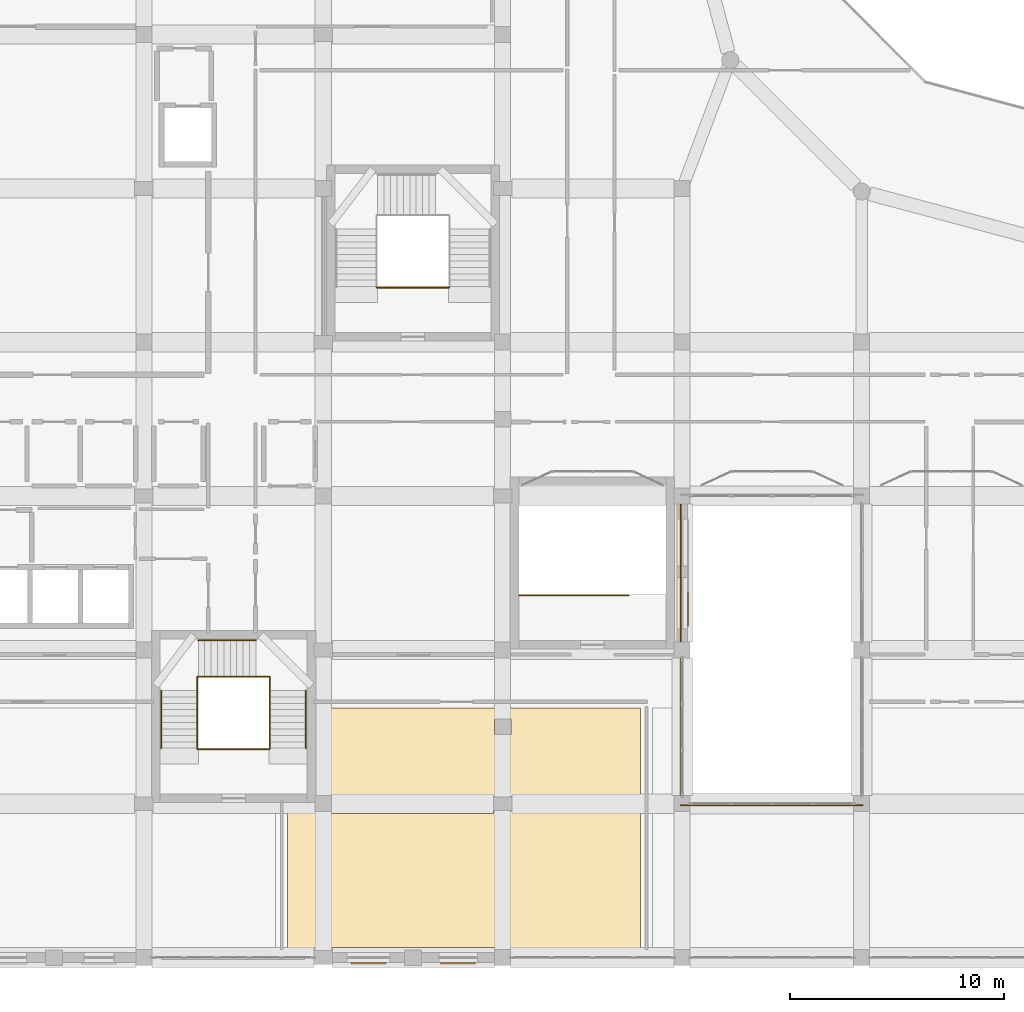
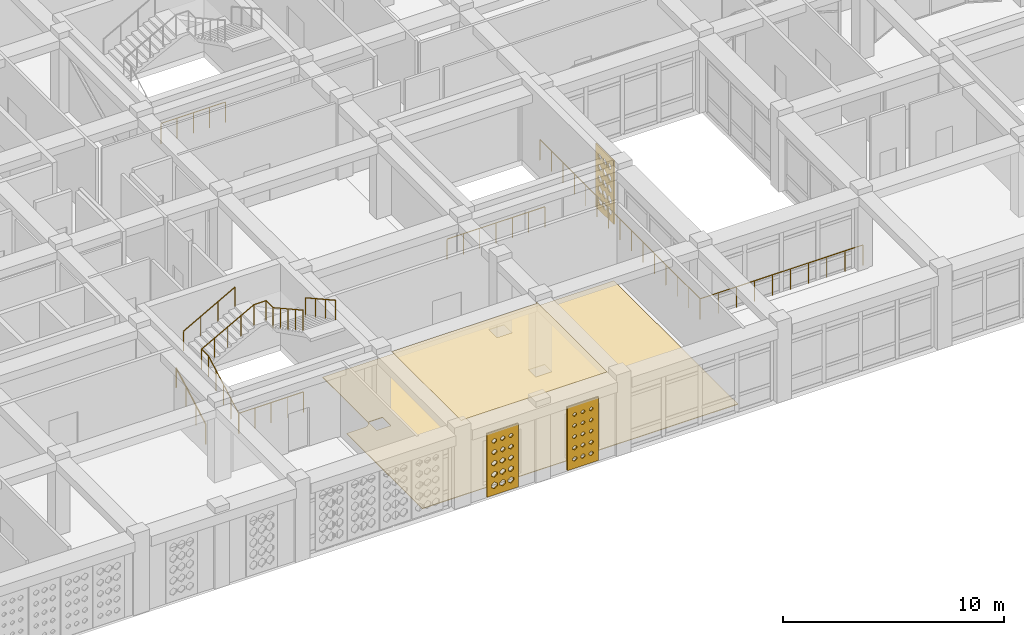
# One storey, part 93 of 121: 11 railings, 5 coverings.
"""IFC4 building model written with IfcOpenShell, lengths in metres."""

from ifc_helpers import new_model, si_unit, derived_unit, direction, frame, origin, origin_2d, place, context, subcontext, project, spatial, polyline, circle, outline, extrude, material, layer, layer_set, type_object, element, save


model = new_model("IFC4")

# Units and contexts
model_context = context("Model", 3, precision=1e-05, world=origin(), true_north=direction((0.0, 1.0)))
body_context = subcontext(model_context, "Body", "Model", "MODEL_VIEW")
ifc_project = project(units=[si_unit("LENGTHUNIT", "METRE"), si_unit("AREAUNIT", "SQUARE_METRE"), si_unit("VOLUMEUNIT", "CUBIC_METRE"), si_unit("PLANEANGLEUNIT", "RADIAN"), si_unit("MASSUNIT", "GRAM", prefix="KILO"), derived_unit("THERMALTRANSMITTANCEUNIT", [(si_unit("POWERUNIT", "WATT"), 1), (si_unit("LENGTHUNIT", "METRE"), -2), (si_unit("THERMODYNAMICTEMPERATUREUNIT", "KELVIN"), -1)])], contexts=[model_context])

# Site, building, storey
site_placement = place(None, origin())
site = spatial("IfcSite", under=ifc_project, at=site_placement, CompositionType="ELEMENT")
building_placement = place(site_placement, origin())
building = spatial("IfcBuilding", under=site, at=building_placement, Name="Veybourne Emporium", CompositionType="ELEMENT")
storey_placement = place(building_placement, frame((0.0, 0.0, 5.39990234375)))
storey = spatial("IfcBuildingStorey", under=building, at=storey_placement, Name="L01", CompositionType="ELEMENT", Elevation=5.39990234375)

# Railings
ifc_material_1 = material(Name="Patinated Architectural Bronze", Category="bronze")
railing_type_1 = type_object("IfcRailingType", Name="Balustrade_BL-01", PredefinedType="BALUSTRADE", material=ifc_material_1)
railing_1_placement = place(storey_placement, frame((58.739990234375, 7.139892578125, 0.0)))
element("IfcRailing", 1, at=railing_1_placement, inside=storey, type_object=railing_type_1, Name="L01 shopping arcade gallery balustrade 1", PredefinedType="BALUSTRADE", context=body_context, shape_type="SweptSolid", body=[
    extrude(circle(Radius=0.02392578125, at=origin_2d()), frame((0.0, 0.0, 1.1259765625), z_axis=(1.0, 0.0, 0.0), x_axis=(0.0, 1.0, 0.0)), (0.0, 0.0, 1.0), 8.52001953125),
    extrude(circle(Radius=0.02099609375, at=origin_2d()), origin(), (0.0, 0.0, 1.0), 1.101806640625),
    extrude(circle(Radius=0.02099609375, at=origin_2d()), frame((0.94677734375, 0.0, 0.0)), (0.0, 0.0, 1.0), 1.101806640625),
    extrude(circle(Radius=0.02099609375, at=origin_2d()), frame((1.893310546875, 0.0, 0.0)), (0.0, 0.0, 1.0), 1.101806640625),
    extrude(circle(Radius=0.02099609375, at=origin_2d()), frame((2.840087890625, 0.0, 0.0)), (0.0, 0.0, 1.0), 1.101806640625),
    extrude(circle(Radius=0.02099609375, at=origin_2d()), frame((3.78662109375, 0.0, 0.0)), (0.0, 0.0, 1.0), 1.101806640625),
    extrude(circle(Radius=0.02099609375, at=origin_2d()), frame((4.7333984375, 0.0, 0.0)), (0.0, 0.0, 1.0), 1.101806640625),
    extrude(circle(Radius=0.02099609375, at=origin_2d()), frame((5.679931640625, 0.0, 0.0)), (0.0, 0.0, 1.0), 1.101806640625),
    extrude(circle(Radius=0.02099609375, at=origin_2d()), frame((6.626708984375, 0.0, 0.0)), (0.0, 0.0, 1.0), 1.101806640625),
    extrude(circle(Radius=0.02099609375, at=origin_2d()), frame((7.5732421875, 0.0, 0.0)), (0.0, 0.0, 1.0), 1.101806640625),
    extrude(circle(Radius=0.02099609375, at=origin_2d()), frame((8.52001953125, 0.0, 0.0)), (0.0, 0.0, 1.0), 1.101806640625),
])
railing_2_placement = place(storey_placement, frame((58.739990234375, 21.659912109375, 0.0)))
element("IfcRailing", 2, at=railing_2_placement, inside=storey, type_object=railing_type_1, Name="L01 shopping arcade gallery balustrade 4", PredefinedType="BALUSTRADE", context=body_context, shape_type="SweptSolid", body=[
    extrude(circle(Radius=0.02392578125, at=origin_2d()), frame((0.0, 0.0, 1.1259765625), z_axis=(0.0, -1.0, 0.0), x_axis=(1.0, 0.0, 0.0)), (0.0, 0.0, 1.0), 14.52001953125),
    extrude(circle(Radius=0.02099609375, at=origin_2d()), origin(), (0.0, 0.0, 1.0), 1.101806640625),
    extrude(circle(Radius=0.02099609375, at=origin_2d()), frame((0.0, -1.037109375, 0.0)), (0.0, 0.0, 1.0), 1.101806640625),
    extrude(circle(Radius=0.02099609375, at=origin_2d()), frame((0.0, -2.07421875, 0.0)), (0.0, 0.0, 1.0), 1.101806640625),
    extrude(circle(Radius=0.02099609375, at=origin_2d()), frame((0.0, -3.111328125, 0.0)), (0.0, 0.0, 1.0), 1.101806640625),
    extrude(circle(Radius=0.02099609375, at=origin_2d()), frame((0.0, -4.148681640625, 0.0)), (0.0, 0.0, 1.0), 1.101806640625),
    extrude(circle(Radius=0.02099609375, at=origin_2d()), frame((0.0, -5.185791015625, 0.0)), (0.0, 0.0, 1.0), 1.101806640625),
    extrude(circle(Radius=0.02099609375, at=origin_2d()), frame((0.0, -6.222900390625, 0.0)), (0.0, 0.0, 1.0), 1.101806640625),
    extrude(circle(Radius=0.02099609375, at=origin_2d()), frame((0.0, -7.260009765625, 0.0)), (0.0, 0.0, 1.0), 1.101806640625),
    extrude(circle(Radius=0.02099609375, at=origin_2d()), frame((0.0, -8.297119140625, 0.0)), (0.0, 0.0, 1.0), 1.101806640625),
    extrude(circle(Radius=0.02099609375, at=origin_2d()), frame((0.0, -9.334228515625, 0.0)), (0.0, 0.0, 1.0), 1.101806640625),
    extrude(circle(Radius=0.02099609375, at=origin_2d()), frame((0.0, -10.371337890625, 0.0)), (0.0, 0.0, 1.0), 1.101806640625),
    extrude(circle(Radius=0.02099609375, at=origin_2d()), frame((0.0, -11.40869140625, 0.0)), (0.0, 0.0, 1.0), 1.101806640625),
    extrude(circle(Radius=0.02099609375, at=origin_2d()), frame((0.0, -12.44580078125, 0.0)), (0.0, 0.0, 1.0), 1.101806640625),
    extrude(circle(Radius=0.02099609375, at=origin_2d()), frame((0.0, -13.48291015625, 0.0)), (0.0, 0.0, 1.0), 1.101806640625),
    extrude(circle(Radius=0.02099609375, at=origin_2d()), frame((0.0, -14.52001953125, 0.0)), (0.0, 0.0, 1.0), 1.101806640625),
])

# Coverings
ifc_material_2 = material(Name="Mineral Acoustic Ceiling", Category="gypsum")
ifc_layer_1 = layer(ifc_material_2, 0.02490234375)
ifc_layer_set_1 = layer_set([ifc_layer_1], Name="Mineral Acoustic Ceiling")
covering_type_1 = type_object("IfcCoveringType", Name="Ceiling_CLG-01", PredefinedType="CEILING", material=ifc_layer_set_1)
covering_1_placement = place(storey_placement, frame((0.0, 0.0, 4.155029296875)))
element("IfcCovering", 3, at=covering_1_placement, inside=storey, type_object=covering_type_1, Name="L01 coffered acoustic ceiling 02", PredefinedType="CEILING", context=body_context, shape_type="SweptSolid", body=[
    extrude(outline(polyline([(50.02490234375, 0.43994140625), (50.02490234375, 0.472900390625), (42.425048828125, 0.472900390625), (42.425048828125, 0.43994140625), (42.373046875, 0.43994140625), (42.373046875, 6.820068359375), (42.375, 6.820068359375), (42.375, 6.751953125), (49.97509765625, 6.751953125), (49.97509765625, 6.8701171875), (50.027099609375, 6.8701171875), (50.027099609375, 0.43994140625), (50.02490234375, 0.43994140625)])), origin(), (0.0, 0.0, 1.0), 0.025146484375),
])
ifc_material_3 = material(Name="European Oak Parquet", Category="wood")
ifc_layer_2 = layer(ifc_material_3, 0.034912109375)
ifc_layer_set_2 = layer_set([ifc_layer_2], Name="European Oak Parquet")
covering_type_2 = type_object("IfcCoveringType", Name="Flooring_FLR-02", PredefinedType="FLOORING", material=ifc_layer_set_2)
covering_2_placement = place(storey_placement, origin())
element("IfcCovering", 4, at=covering_2_placement, inside=storey, type_object=covering_type_2, Name="L01 floor finish 02", PredefinedType="FLOORING", context=body_context, shape_type="SweptSolid", body=[
    extrude(outline(polyline([(41.294921875, 7.29296875), (41.310546875, 7.295166015625), (41.329833984375, 7.299072265625), (41.344970703125, 7.302978515625), (41.36376953125, 7.30859375), (41.378662109375, 7.31396484375), (41.396728515625, 7.3212890625), (41.410888671875, 7.328125), (41.42822265625, 7.33740234375), (41.441650390625, 7.345458984375), (41.4580078125, 7.3564453125), (41.470703125, 7.36572265625), (41.48583984375, 7.378173828125), (41.497314453125, 7.388671875), (41.511474609375, 7.402587890625), (41.52197265625, 7.414306640625), (41.5341796875, 7.42919921875), (41.543701171875, 7.44189453125), (41.5546875, 7.458251953125), (41.562744140625, 7.4716796875), (41.572021484375, 7.489013671875), (41.57861328125, 7.503173828125), (41.586181640625, 7.521484375), (41.59130859375, 7.5361328125), (41.59716796875, 7.554931640625), (41.600830078125, 7.570068359375), (41.604736328125, 7.589599609375), (41.607177734375, 7.60498046875), (41.60888671875, 7.62451171875), (41.60986328125, 7.64013671875), (41.610107421875, 7.64990234375), (41.610107421875, 11.68994140625), (56.85009765625, 11.68994140625), (56.85009765625, 0.43994140625), (40.33154296875, 0.43994140625), (40.33154296875, 7.2900390625), (41.25, 7.2900390625), (41.259765625, 7.290283203125), (41.275390625, 7.291015625), (41.294921875, 7.29296875)]), holes=[polyline([(42.3798828125, 7.580078125), (41.6201171875, 7.580078125), (41.6201171875, 6.820068359375), (42.3798828125, 6.820068359375), (42.3798828125, 7.580078125)]), polyline([(50.830078125, 7.530029296875), (49.969970703125, 7.530029296875), (49.969970703125, 6.8701171875), (50.830078125, 6.8701171875), (50.830078125, 7.530029296875)]), polyline([(50.794921875, 11.1650390625), (50.0048828125, 11.1650390625), (50.0048828125, 10.43505859375), (50.794921875, 10.43505859375), (50.794921875, 11.1650390625)])]), origin(), (0.0, 0.0, 1.0), 0.03515625),
])

# Railings
ifc_material_4 = material(Name="Brushed Stainless Steel", Category="steel")
railing_type_2 = type_object("IfcRailingType", Name="Guard_GR-01", PredefinedType="GUARDRAIL", material=ifc_material_4)
railing_3_placement = place(storey_placement, frame((44.510009765625, 31.360107421875, 0.0)))
element("IfcRailing", 5, at=railing_3_placement, inside=storey, type_object=railing_type_2, Name="L01 ST-05 stair guard 4", PredefinedType="GUARDRAIL", context=body_context, shape_type="SweptSolid", body=[
    extrude(circle(Radius=0.02392578125, at=origin_2d()), frame((0.0, 0.0, 1.1259765625), z_axis=(1.0, 0.0, 0.0), x_axis=(0.0, 1.0, 0.0)), (0.0, 0.0, 1.0), 3.3798828125),
    extrude(circle(Radius=0.02099609375, at=origin_2d()), origin(), (0.0, 0.0, 1.0), 1.101806640625),
    extrude(circle(Radius=0.02099609375, at=origin_2d()), frame((0.844970703125, 0.0, 0.0)), (0.0, 0.0, 1.0), 1.101806640625),
    extrude(circle(Radius=0.02099609375, at=origin_2d()), frame((1.68994140625, 0.0, 0.0)), (0.0, 0.0, 1.0), 1.101806640625),
    extrude(circle(Radius=0.02099609375, at=origin_2d()), frame((2.534912109375, 0.0, 0.0)), (0.0, 0.0, 1.0), 1.101806640625),
    extrude(circle(Radius=0.02099609375, at=origin_2d()), frame((3.3798828125, 0.0, 0.0)), (0.0, 0.0, 1.0), 1.101806640625),
])
railing_4_placement = place(storey_placement, frame((51.169921875, 16.9599609375, 0.0)))
element("IfcRailing", 6, at=railing_4_placement, inside=storey, type_object=railing_type_2, Name="L01 ST-09 top well guardrail", PredefinedType="GUARDRAIL", context=body_context, shape_type="SweptSolid", body=[
    extrude(circle(Radius=0.02392578125, at=origin_2d()), frame((0.0, 0.0, 1.1259765625), z_axis=(1.0, 0.0, 0.0), x_axis=(0.0, 1.0, 0.0)), (0.0, 0.0, 1.0), 5.1201171875),
    extrude(circle(Radius=0.02099609375, at=origin_2d()), origin(), (0.0, 0.0, 1.0), 1.101806640625),
    extrude(circle(Radius=0.02099609375, at=origin_2d()), frame((0.853271484375, 0.0, 0.0)), (0.0, 0.0, 1.0), 1.101806640625),
    extrude(circle(Radius=0.02099609375, at=origin_2d()), frame((1.706787109375, 0.0, 0.0)), (0.0, 0.0, 1.0), 1.101806640625),
    extrude(circle(Radius=0.02099609375, at=origin_2d()), frame((2.56005859375, 0.0, 0.0)), (0.0, 0.0, 1.0), 1.101806640625),
    extrude(circle(Radius=0.02099609375, at=origin_2d()), frame((3.413330078125, 0.0, 0.0)), (0.0, 0.0, 1.0), 1.101806640625),
    extrude(circle(Radius=0.02099609375, at=origin_2d()), frame((4.266845703125, 0.0, 0.0)), (0.0, 0.0, 1.0), 1.101806640625),
    extrude(circle(Radius=0.02099609375, at=origin_2d()), frame((5.1201171875, 0.0, 0.0)), (0.0, 0.0, 1.0), 1.101806640625),
])
railing_5_placement = place(storey_placement, frame((36.110107421875, 9.800048828125, 0.0)))
element("IfcRailing", 7, at=railing_5_placement, inside=storey, type_object=railing_type_2, Name="L01 ST-12 stair guard 1", PredefinedType="GUARDRAIL", context=body_context, shape_type="SweptSolid", body=[
    extrude(circle(Radius=0.02392578125, at=origin_2d()), frame((0.0, 0.0, 1.1259765625), z_axis=(0.0, 0.87415354758, 0.485649642493), x_axis=(-1.0, 0.0, 0.0)), (0.0, 0.0, 1.0), 3.088623046875),
    extrude(circle(Radius=0.02392578125, at=origin_2d()), frame((0.0, 2.699951171875, 2.6259765625), z_axis=(0.0, 1.0, 0.0), x_axis=(-1.0, 0.0, 0.0)), (0.0, 0.0, 1.0), 0.639892578125),
    extrude(circle(Radius=0.02099609375, at=origin_2d()), origin(), (0.0, 0.0, 1.0), 1.101806640625),
    extrude(circle(Radius=0.02099609375, at=origin_2d()), frame((0.0, 0.675048828125, 0.375)), (0.0, 0.0, 1.0), 1.101806640625),
    extrude(circle(Radius=0.02099609375, at=origin_2d()), frame((0.0, 1.35009765625, 0.75)), (0.0, 0.0, 1.0), 1.101806640625),
    extrude(circle(Radius=0.02099609375, at=origin_2d()), frame((0.0, 2.02490234375, 1.125)), (0.0, 0.0, 1.0), 1.101806640625),
    extrude(circle(Radius=0.02099609375, at=origin_2d()), frame((0.0, 2.699951171875, 1.5)), (0.0, 0.0, 1.0), 1.101806640625),
    extrude(circle(Radius=0.02099609375, at=origin_2d()), frame((0.0, 3.33984375, 1.5)), (0.0, 0.0, 1.0), 1.101806640625),
])
railing_6_placement = place(storey_placement, frame((36.110107421875, 13.139892578125, 1.5)))
element("IfcRailing", 8, at=railing_6_placement, inside=storey, type_object=railing_type_2, Name="L01 ST-12 stair guard 2", PredefinedType="GUARDRAIL", context=body_context, shape_type="SweptSolid", body=[
    extrude(circle(Radius=0.02392578125, at=origin_2d()), frame((0.0, 0.0, 1.1259765625), z_axis=(0.87715976088, 0.0, 0.480198660861), x_axis=(0.0, 1.0, 0.0)), (0.0, 0.0, 1.0), 3.123779296875),
    extrude(circle(Radius=0.02392578125, at=origin_2d()), frame((2.739990234375, 0.0, 2.6259765625), z_axis=(1.0, 0.0, 0.0), x_axis=(0.0, 1.0, 0.0)), (0.0, 0.0, 1.0), 0.639892578125),
    extrude(circle(Radius=0.02099609375, at=origin_2d()), origin(), (0.0, 0.0, 1.0), 1.101806640625),
    extrude(circle(Radius=0.02099609375, at=origin_2d()), frame((0.68505859375, 0.0, 0.375)), (0.0, 0.0, 1.0), 1.101806640625),
    extrude(circle(Radius=0.02099609375, at=origin_2d()), frame((1.3701171875, 0.0, 0.75)), (0.0, 0.0, 1.0), 1.101806640625),
    extrude(circle(Radius=0.02099609375, at=origin_2d()), frame((2.054931640625, 0.0, 1.125)), (0.0, 0.0, 1.0), 1.101806640625),
    extrude(circle(Radius=0.02099609375, at=origin_2d()), frame((2.739990234375, 0.0, 1.5)), (0.0, 0.0, 1.0), 1.101806640625),
    extrude(circle(Radius=0.02099609375, at=origin_2d()), frame((3.3798828125, 0.0, 1.5)), (0.0, 0.0, 1.0), 1.101806640625),
])
railing_7_placement = place(storey_placement, frame((39.489990234375, 13.139892578125, 3.0)))
element("IfcRailing", 9, at=railing_7_placement, inside=storey, type_object=railing_type_2, Name="L01 ST-12 stair guard 3", PredefinedType="GUARDRAIL", context=body_context, shape_type="SweptSolid", body=[
    extrude(circle(Radius=0.02392578125, at=origin_2d()), frame((0.0, 0.0, 1.1259765625), z_axis=(0.0, -1.0, 0.0), x_axis=(1.0, 0.0, 0.0)), (0.0, 0.0, 1.0), 0.639892578125),
    extrude(circle(Radius=0.02392578125, at=origin_2d()), frame((0.0, -0.639892578125, 1.1259765625), z_axis=(0.0, -0.87415354758, 0.485649642493), x_axis=(1.0, 0.0, 0.0)), (0.0, 0.0, 1.0), 3.088623046875),
    extrude(circle(Radius=0.02099609375, at=origin_2d()), origin(), (0.0, 0.0, 1.0), 1.101806640625),
    extrude(circle(Radius=0.02099609375, at=origin_2d()), frame((0.0, -0.639892578125, 0.0)), (0.0, 0.0, 1.0), 1.101806640625),
    extrude(circle(Radius=0.02099609375, at=origin_2d()), frame((0.0, -1.31494140625, 0.375)), (0.0, 0.0, 1.0), 1.101806640625),
    extrude(circle(Radius=0.02099609375, at=origin_2d()), frame((0.0, -1.98974609375, 0.75)), (0.0, 0.0, 1.0), 1.101806640625),
    extrude(circle(Radius=0.02099609375, at=origin_2d()), frame((0.0, -2.664794921875, 1.125)), (0.0, 0.0, 1.0), 1.101806640625),
    extrude(circle(Radius=0.02099609375, at=origin_2d()), frame((0.0, -3.33984375, 1.5)), (0.0, 0.0, 1.0), 1.101806640625),
])
railing_8_placement = place(storey_placement, frame((36.110107421875, 9.760009765625, 0.0)))
element("IfcRailing", 10, at=railing_8_placement, inside=storey, type_object=railing_type_2, Name="L01 ST-12 stair guard 4", PredefinedType="GUARDRAIL", context=body_context, shape_type="SweptSolid", body=[
    extrude(circle(Radius=0.02392578125, at=origin_2d()), frame((0.0, 0.0, 1.1259765625), z_axis=(1.0, 0.0, 0.0), x_axis=(0.0, 1.0, 0.0)), (0.0, 0.0, 1.0), 3.3798828125),
    extrude(circle(Radius=0.02099609375, at=origin_2d()), origin(), (0.0, 0.0, 1.0), 1.101806640625),
    extrude(circle(Radius=0.02099609375, at=origin_2d()), frame((0.844970703125, 0.0, 0.0)), (0.0, 0.0, 1.0), 1.101806640625),
    extrude(circle(Radius=0.02099609375, at=origin_2d()), frame((1.68994140625, 0.0, 0.0)), (0.0, 0.0, 1.0), 1.101806640625),
    extrude(circle(Radius=0.02099609375, at=origin_2d()), frame((2.534912109375, 0.0, 0.0)), (0.0, 0.0, 1.0), 1.101806640625),
    extrude(circle(Radius=0.02099609375, at=origin_2d()), frame((3.3798828125, 0.0, 0.0)), (0.0, 0.0, 1.0), 1.101806640625),
])
railing_type_3 = type_object("IfcRailingType", Name="Handrail_HR-01", PredefinedType="HANDRAIL", material=ifc_material_4)
railing_9_placement = place(storey_placement, frame((34.409912109375, 9.800048828125, 0.150146484375)))
element("IfcRailing", 11, at=railing_9_placement, inside=storey, type_object=railing_type_3, Name="L01 ST-12 pitch handrail 1", PredefinedType="HANDRAIL", context=body_context, shape_type="SweptSolid", body=[
    extrude(circle(Radius=0.02392578125, at=origin_2d()), frame((0.0, 0.0, 0.92578125), z_axis=(0.0, 0.87415354758, 0.485649642493), x_axis=(-1.0, 0.0, 0.0)), (0.0, 0.0, 1.0), 3.088623046875),
    extrude(circle(Radius=0.02099609375, at=origin_2d()), frame((0.0, 0.0, -0.14990234375)), (0.0, 0.0, 1.0), 1.0517578125),
    extrude(circle(Radius=0.02099609375, at=origin_2d()), frame((0.0, 0.89990234375, 0.35009765625)), (0.0, 0.0, 1.0), 1.0517578125),
    extrude(circle(Radius=0.02099609375, at=origin_2d()), frame((0.0, 1.800048828125, 0.85009765625)), (0.0, 0.0, 1.0), 1.0517578125),
    extrude(circle(Radius=0.02099609375, at=origin_2d()), frame((0.0, 2.699951171875, 1.35009765625)), (0.0, 0.0, 1.0), 1.0517578125),
])
railing_10_placement = place(storey_placement, frame((36.14990234375, 14.840087890625, 1.650146484375)))
element("IfcRailing", 12, at=railing_10_placement, inside=storey, type_object=railing_type_3, Name="L01 ST-12 pitch handrail 2", PredefinedType="HANDRAIL", context=body_context, shape_type="SweptSolid", body=[
    extrude(circle(Radius=0.02392578125, at=origin_2d()), frame((0.0, 0.0, 0.92578125), z_axis=(0.874172188743, 0.0, 0.48561608749), x_axis=(0.0, 1.0, 0.0)), (0.0, 0.0, 1.0), 3.0888671875),
    extrude(circle(Radius=0.02099609375, at=origin_2d()), frame((0.0, 0.0, -0.14990234375)), (0.0, 0.0, 1.0), 1.0517578125),
    extrude(circle(Radius=0.02099609375, at=origin_2d()), frame((0.900146484375, 0.0, 0.35009765625)), (0.0, 0.0, 1.0), 1.0517578125),
    extrude(circle(Radius=0.02099609375, at=origin_2d()), frame((1.800048828125, 0.0, 0.85009765625)), (0.0, 0.0, 1.0), 1.0517578125),
    extrude(circle(Radius=0.02099609375, at=origin_2d()), frame((2.7001953125, 0.0, 1.35009765625)), (0.0, 0.0, 1.0), 1.0517578125),
])
railing_11_placement = place(storey_placement, frame((41.18994140625, 12.5, 3.150146484375)))
element("IfcRailing", 13, at=railing_11_placement, inside=storey, type_object=railing_type_3, Name="L01 ST-12 pitch handrail 3", PredefinedType="HANDRAIL", context=body_context, shape_type="SweptSolid", body=[
    extrude(circle(Radius=0.02392578125, at=origin_2d()), frame((0.0, 0.0, 0.92578125), z_axis=(0.0, -0.87415354758, 0.485649642493), x_axis=(1.0, 0.0, 0.0)), (0.0, 0.0, 1.0), 3.088623046875),
    extrude(circle(Radius=0.02099609375, at=origin_2d()), frame((0.0, 0.0, -0.14990234375)), (0.0, 0.0, 1.0), 1.0517578125),
    extrude(circle(Radius=0.02099609375, at=origin_2d()), frame((0.0, -0.89990234375, 0.35009765625)), (0.0, 0.0, 1.0), 1.0517578125),
    extrude(circle(Radius=0.02099609375, at=origin_2d()), frame((0.0, -1.800048828125, 0.85009765625)), (0.0, 0.0, 1.0), 1.0517578125),
    extrude(circle(Radius=0.02099609375, at=origin_2d()), frame((0.0, -2.699951171875, 1.35009765625)), (0.0, 0.0, 1.0), 1.0517578125),
])

# Coverings
ifc_material_5 = material(Name="Warm-White Perforated Aluminium Screen Alloy", Category="aluminium")
ifc_layer_3 = layer(ifc_material_5, 0.06005859375)
ifc_layer_set_3 = layer_set([ifc_layer_3], Name="Warm-White Perforated Aluminium Screen Alloy")
covering_type_3 = type_object("IfcCoveringType", Name="WaveScreen_SCR-01", PredefinedType="CLADDING", material=ifc_layer_set_3)
covering_3_placement = place(storey_placement, frame((48.3125, -0.298095703125, 1.815185546875), z_axis=(0.0, 1.0, 0.0), x_axis=(-1.0, 0.0, 0.0)))
element("IfcCovering", 14, at=covering_3_placement, inside=storey, type_object=covering_type_3, Name="L01 wave-perforated aluminium screen SCR-01 (26A.1)", PredefinedType="CLADDING", context=body_context, shape_type="SweptSolid", body=[
    extrude(outline(polyline([(-0.81982421875, -1.7548828125), (0.81982421875, -1.7548828125), (0.81982421875, 1.7548828125), (-0.81982421875, 1.7548828125), (-0.81982421875, -1.7548828125)]), holes=[polyline([(-0.433349609375, -1.10400390625), (-0.32177734375, -1.183349609375), (-0.32177734375, -1.272705078125), (-0.433349609375, -1.35205078125), (-0.544921875, -1.272705078125), (-0.544921875, -1.183349609375), (-0.433349609375, -1.10400390625)]), polyline([(-0.433349609375, -0.496826171875), (-0.327392578125, -0.57177734375), (-0.327392578125, -0.65625), (-0.433349609375, -0.731201171875), (-0.539306640625, -0.65625), (-0.539306640625, -0.57177734375), (-0.433349609375, -0.496826171875)]), polyline([(-0.433349609375, 0.112548828125), (-0.331298828125, 0.04052734375), (-0.331298828125, -0.04052734375), (-0.433349609375, -0.112548828125), (-0.535400390625, -0.04052734375), (-0.535400390625, 0.04052734375), (-0.433349609375, 0.112548828125)]), polyline([(-0.433349609375, 0.72412109375), (-0.3330078125, 0.65380859375), (-0.3330078125, 0.57421875), (-0.433349609375, 0.50390625), (-0.533447265625, 0.57421875), (-0.533447265625, 0.65380859375), (-0.433349609375, 0.72412109375)]), polyline([(-0.433349609375, 1.33837890625), (-0.3330078125, 1.267578125), (-0.3330078125, 1.188232421875), (-0.433349609375, 1.11767578125), (-0.53369140625, 1.188232421875), (-0.53369140625, 1.267578125), (-0.433349609375, 1.33837890625)]), polyline([(0.0, -1.10009765625), (0.114501953125, -1.181884765625), (0.114501953125, -1.27392578125), (0.0, -1.35595703125), (-0.114501953125, -1.27392578125), (-0.114501953125, -1.181884765625), (0.0, -1.10009765625)]), polyline([(0.0, -0.493896484375), (0.108154296875, -0.57080078125), (0.108154296875, -0.6572265625), (0.0, -0.734130859375), (-0.108154296875, -0.6572265625), (-0.108154296875, -0.57080078125), (0.0, -0.493896484375)]), polyline([(0.0, 0.114501953125), (0.103515625, 0.041259765625), (0.103515625, -0.041259765625), (0.0, -0.114501953125), (-0.103515625, -0.041259765625), (-0.103515625, 0.041259765625), (0.0, 0.114501953125)]), polyline([(0.0, 0.72509765625), (0.100830078125, 0.654052734375), (0.100830078125, 0.573974609375), (0.0, 0.5029296875), (-0.100830078125, 0.573974609375), (-0.100830078125, 0.654052734375), (0.0, 0.72509765625)]), polyline([(0.0, 1.337890625), (0.10009765625, 1.267578125), (0.10009765625, 1.1884765625), (0.0, 1.117919921875), (-0.10009765625, 1.1884765625), (-0.10009765625, 1.267578125), (0.0, 1.337890625)]), polyline([(0.433349609375, -1.095947265625), (0.551513671875, -1.180419921875), (0.551513671875, -1.275634765625), (0.433349609375, -1.360107421875), (0.315185546875, -1.275634765625), (0.315185546875, -1.180419921875), (0.433349609375, -1.095947265625)]), polyline([(0.433349609375, -0.490478515625), (0.544189453125, -0.569580078125), (0.544189453125, -0.658447265625), (0.433349609375, -0.7373046875), (0.322509765625, -0.658447265625), (0.322509765625, -0.569580078125), (0.433349609375, -0.490478515625)]), polyline([(0.433349609375, 0.11669921875), (0.538818359375, 0.0419921875), (0.538818359375, -0.0419921875), (0.433349609375, -0.11669921875), (0.327880859375, -0.0419921875), (0.327880859375, 0.0419921875), (0.433349609375, 0.11669921875)]), polyline([(0.433349609375, 0.726318359375), (0.53515625, 0.654296875), (0.53515625, 0.573486328125), (0.433349609375, 0.501708984375), (0.33154296875, 0.573486328125), (0.33154296875, 0.654296875), (0.433349609375, 0.726318359375)]), polyline([(0.433349609375, 1.338134765625), (0.533447265625, 1.267578125), (0.533447265625, 1.188232421875), (0.433349609375, 1.117919921875), (0.333251953125, 1.188232421875), (0.333251953125, 1.267578125), (0.433349609375, 1.338134765625)])]), origin(), (0.0, 0.0, 1.0), 0.06005859375),
])
covering_4_placement = place(storey_placement, frame((44.112548828125, -0.298095703125, 1.815185546875), z_axis=(0.0, 1.0, 0.0), x_axis=(-1.0, 0.0, 0.0)))
element("IfcCovering", 15, at=covering_4_placement, inside=storey, type_object=covering_type_3, Name="L01 wave-perforated aluminium screen SCR-01 (26B.1)", PredefinedType="CLADDING", context=body_context, shape_type="SweptSolid", body=[
    extrude(outline(polyline([(-0.81982421875, -1.7548828125), (0.81982421875, -1.7548828125), (0.81982421875, 1.7548828125), (-0.81982421875, 1.7548828125), (-0.81982421875, -1.7548828125)]), holes=[polyline([(-0.433349609375, -1.0537109375), (-0.28076171875, -1.165283203125), (-0.28076171875, -1.290771484375), (-0.433349609375, -1.40234375), (-0.5859375, -1.290771484375), (-0.5859375, -1.165283203125), (-0.433349609375, -1.0537109375)]), polyline([(-0.433349609375, -0.453125), (-0.291748046875, -0.55615234375), (-0.291748046875, -0.671875), (-0.433349609375, -0.77490234375), (-0.574951171875, -0.671875), (-0.574951171875, -0.55615234375), (-0.433349609375, -0.453125)]), polyline([(-0.433349609375, 0.148193359375), (-0.302001953125, 0.053466796875), (-0.302001953125, -0.053466796875), (-0.433349609375, -0.148193359375), (-0.564697265625, -0.053466796875), (-0.564697265625, 0.053466796875), (-0.433349609375, 0.148193359375)]), polyline([(-0.433349609375, 0.7509765625), (-0.311279296875, 0.663330078125), (-0.311279296875, 0.564697265625), (-0.433349609375, 0.47705078125), (-0.555419921875, 0.564697265625), (-0.555419921875, 0.663330078125), (-0.433349609375, 0.7509765625)]), polyline([(-0.433349609375, 1.35546875), (-0.319091796875, 1.27392578125), (-0.319091796875, 1.18212890625), (-0.433349609375, 1.1005859375), (-0.547607421875, 1.18212890625), (-0.547607421875, 1.27392578125), (-0.433349609375, 1.35546875)]), polyline([(0.0, -1.04736328125), (0.15771484375, -1.1630859375), (0.15771484375, -1.29296875), (0.0, -1.40869140625), (-0.15771484375, -1.29296875), (-0.15771484375, -1.1630859375), (0.0, -1.04736328125)]), polyline([(0.0, -0.447021484375), (0.146484375, -0.553955078125), (0.146484375, -0.674072265625), (0.0, -0.781005859375), (-0.146484375, -0.674072265625), (-0.146484375, -0.553955078125), (0.0, -0.447021484375)]), polyline([(0.0, 0.15380859375), (0.135986328125, 0.055419921875), (0.135986328125, -0.055419921875), (0.0, -0.15380859375), (-0.135986328125, -0.055419921875), (-0.135986328125, 0.055419921875), (0.0, 0.15380859375)]), polyline([(0.0, 0.756103515625), (0.126220703125, 0.6650390625), (0.126220703125, 0.56298828125), (0.0, 0.471923828125), (-0.126220703125, 0.56298828125), (-0.126220703125, 0.6650390625), (0.0, 0.756103515625)]), polyline([(0.0, 1.359619140625), (0.11767578125, 1.275390625), (0.11767578125, 1.1806640625), (0.0, 1.096435546875), (-0.11767578125, 1.1806640625), (-0.11767578125, 1.275390625), (0.0, 1.359619140625)]), polyline([(0.433349609375, -1.041015625), (0.596435546875, -1.16064453125), (0.596435546875, -1.29541015625), (0.433349609375, -1.4150390625), (0.270263671875, -1.29541015625), (0.270263671875, -1.16064453125), (0.433349609375, -1.041015625)]), polyline([(0.433349609375, -0.44091796875), (0.5849609375, -0.5517578125), (0.5849609375, -0.67626953125), (0.433349609375, -0.787109375), (0.28173828125, -0.67626953125), (0.28173828125, -0.5517578125), (0.433349609375, -0.44091796875)]), polyline([(0.433349609375, 0.15966796875), (0.573974609375, 0.0576171875), (0.573974609375, -0.0576171875), (0.433349609375, -0.15966796875), (0.292724609375, -0.0576171875), (0.292724609375, 0.0576171875), (0.433349609375, 0.15966796875)]), polyline([(0.433349609375, 0.76123046875), (0.563720703125, 0.6669921875), (0.563720703125, 0.56103515625), (0.433349609375, 0.466796875), (0.302978515625, 0.56103515625), (0.302978515625, 0.6669921875), (0.433349609375, 0.76123046875)]), polyline([(0.433349609375, 1.364013671875), (0.5546875, 1.277099609375), (0.5546875, 1.178955078125), (0.433349609375, 1.091796875), (0.31201171875, 1.178955078125), (0.31201171875, 1.277099609375), (0.433349609375, 1.364013671875)])]), origin(), (0.0, 0.0, 1.0), 0.06005859375),
])
ifc_layer_4 = layer(ifc_material_5, 0.06005859375)
ifc_layer_set_4 = layer_set([ifc_layer_4], Name="Warm-White Perforated Aluminium Screen Alloy")
covering_type_4 = type_object("IfcCoveringType", Name="WaveScreen_SCR-03", PredefinedType="CLADDING", material=ifc_layer_set_4)
covering_5_placement = place(storey_placement, frame((59.09814453125, 16.320068359375, 1.815185546875), z_axis=(-1.0, 0.0, 0.0), x_axis=(0.0, -1.0, 0.0)))
element("IfcCovering", 16, at=covering_5_placement, inside=storey, type_object=covering_type_4, Name="L01 wave-perforated aluminium screen SCR-03 (30.3)", PredefinedType="CLADDING", context=body_context, shape_type="SweptSolid", body=[
    extrude(outline(polyline([(-0.81982421875, -1.7548828125), (0.81982421875, -1.7548828125), (0.81982421875, 1.7548828125), (-0.81982421875, 1.7548828125), (-0.81982421875, -1.7548828125)]), holes=[polyline([(-0.433349609375, -1.004638671875), (-0.2470703125, -1.147705078125), (-0.2470703125, -1.308349609375), (-0.433349609375, -1.451416015625), (-0.61962890625, -1.308349609375), (-0.61962890625, -1.147705078125), (-0.433349609375, -1.004638671875)]), polyline([(-0.433349609375, -0.404296875), (-0.251708984375, -0.53857421875), (-0.251708984375, -0.689453125), (-0.433349609375, -0.82373046875), (-0.614990234375, -0.689453125), (-0.614990234375, -0.53857421875), (-0.433349609375, -0.404296875)]), polyline([(-0.433349609375, 0.19580078125), (-0.26318359375, 0.070556640625), (-0.26318359375, -0.070556640625), (-0.433349609375, -0.19580078125), (-0.603515625, -0.070556640625), (-0.603515625, 0.070556640625), (-0.433349609375, 0.19580078125)]), polyline([(-0.433349609375, 0.795654296875), (-0.274658203125, 0.679443359375), (-0.274658203125, 0.548583984375), (-0.433349609375, 0.432373046875), (-0.591796875, 0.548583984375), (-0.591796875, 0.679443359375), (-0.433349609375, 0.795654296875)]), polyline([(-0.433349609375, 1.395751953125), (-0.285888671875, 1.288330078125), (-0.285888671875, 1.16748046875), (-0.433349609375, 1.060302734375), (-0.58056640625, 1.16748046875), (-0.58056640625, 1.288330078125), (-0.433349609375, 1.395751953125)]), polyline([(0.0, -0.998779296875), (0.186279296875, -1.1455078125), (0.186279296875, -1.310546875), (0.0, -1.457275390625), (-0.186279296875, -1.310546875), (-0.186279296875, -1.1455078125), (0.0, -0.998779296875)]), polyline([(0.0, -0.39794921875), (0.186279296875, -0.5361328125), (0.186279296875, -0.69189453125), (0.0, -0.830078125), (-0.186279296875, -0.69189453125), (-0.186279296875, -0.5361328125), (0.0, -0.39794921875)]), polyline([(0.0, 0.2021484375), (0.17529296875, 0.07275390625), (0.17529296875, -0.07275390625), (0.0, -0.2021484375), (-0.17529296875, -0.07275390625), (-0.17529296875, 0.07275390625), (0.0, 0.2021484375)]), polyline([(0.0, 0.802001953125), (0.163818359375, 0.681640625), (0.163818359375, 0.54638671875), (0.0, 0.426025390625), (-0.163818359375, 0.54638671875), (-0.163818359375, 0.681640625), (0.0, 0.802001953125)]), polyline([(0.0, 1.402099609375), (0.15234375, 1.29052734375), (0.15234375, 1.165283203125), (0.0, 1.053955078125), (-0.15234375, 1.165283203125), (-0.15234375, 1.29052734375), (0.0, 1.402099609375)]), polyline([(0.433349609375, -0.9931640625), (0.61962890625, -1.143310546875), (0.61962890625, -1.3125), (0.433349609375, -1.462890625), (0.2470703125, -1.3125), (0.2470703125, -1.143310546875), (0.433349609375, -0.9931640625)]), polyline([(0.433349609375, -0.391845703125), (0.61962890625, -0.533935546875), (0.61962890625, -0.694091796875), (0.433349609375, -0.836181640625), (0.2470703125, -0.694091796875), (0.2470703125, -0.533935546875), (0.433349609375, -0.391845703125)]), polyline([(0.433349609375, 0.20849609375), (0.614013671875, 0.0751953125), (0.614013671875, -0.0751953125), (0.433349609375, -0.20849609375), (0.252685546875, -0.0751953125), (0.252685546875, 0.0751953125), (0.433349609375, 0.20849609375)]), polyline([(0.433349609375, 0.80859375), (0.6025390625, 0.68408203125), (0.6025390625, 0.5439453125), (0.433349609375, 0.41943359375), (0.26416015625, 0.5439453125), (0.26416015625, 0.68408203125), (0.433349609375, 0.80859375)]), polyline([(0.433349609375, 1.408203125), (0.5908203125, 1.29296875), (0.5908203125, 1.1630859375), (0.433349609375, 1.047607421875), (0.27587890625, 1.1630859375), (0.27587890625, 1.29296875), (0.433349609375, 1.408203125)])]), origin(), (0.0, 0.0, 1.0), 0.06005859375),
])

save(model, "model.ifc")
